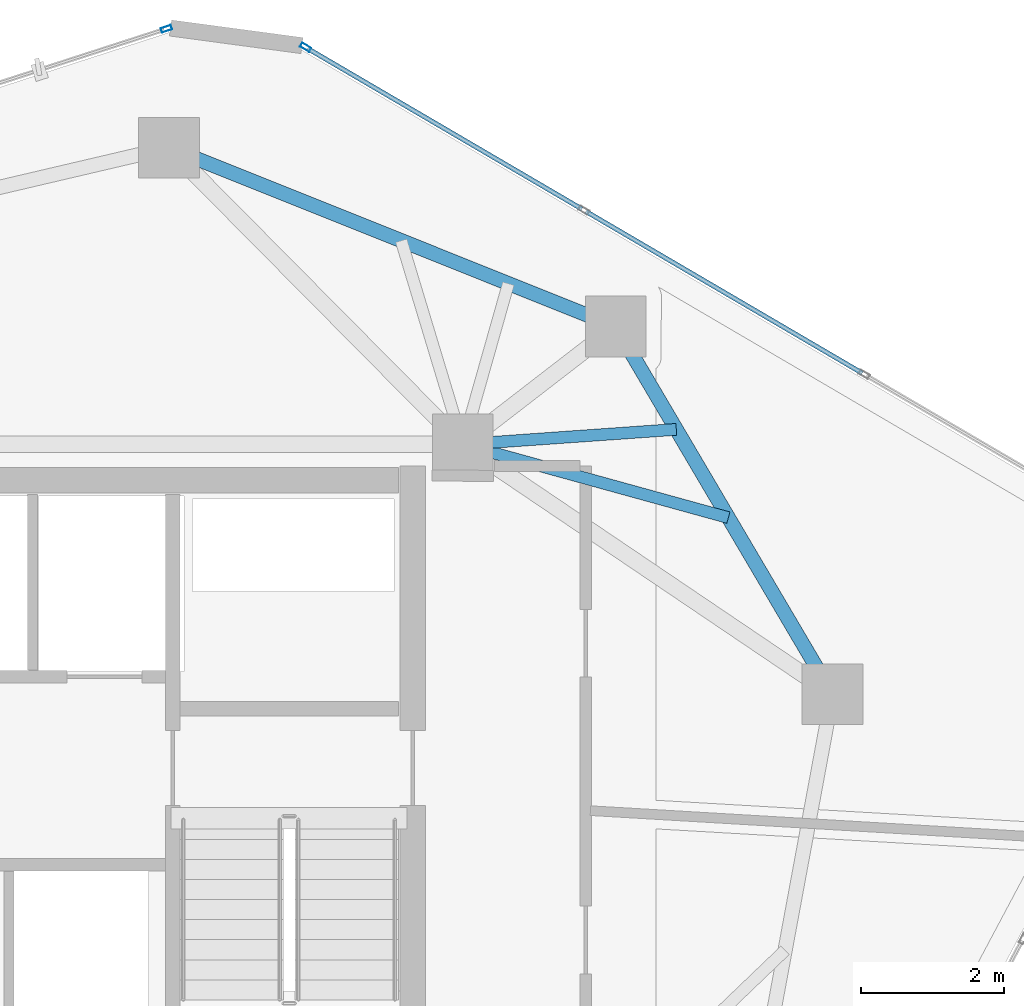
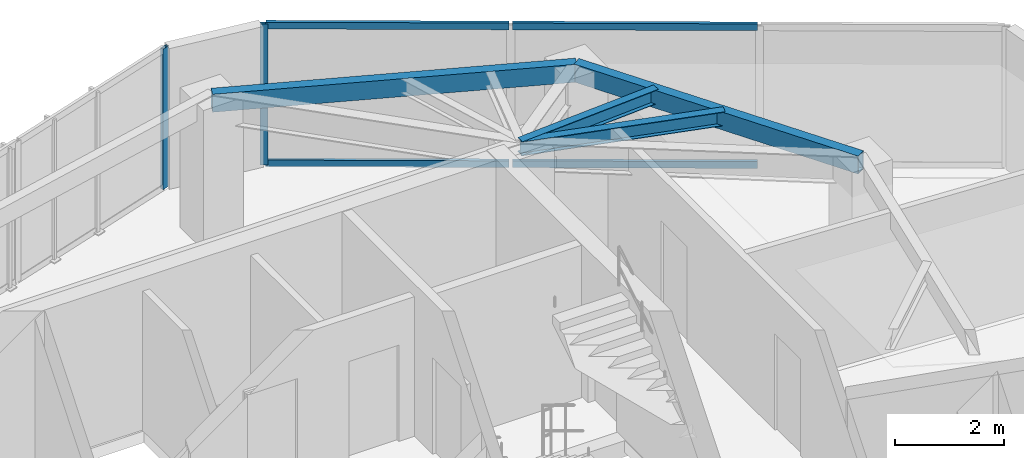
# One storey, part 13 of 19: 6 members, 4 beams, 2 elements without a shape of their own.
"""IFC4 building model written with IfcOpenShell, lengths in metres."""

import ifcopenshell
import ifcopenshell.guid

model = None  # the IFC model being written
_history = None  # IfcOwnerHistory: only IFC2X3 demands one
_inside = {}  # id of a spatial element -> (the spatial element, [elements in it])
_under = {}  # id of a project, library or spatial element -> (it, [spatial elements below it])
_declared = {}  # id of a project -> (the project, [libraries it declares])
_typed = {}  # id of a type object -> (the type object, [elements of that type])
_made_of = {}  # id of a material, layer set ... -> (it, [elements and type objects made of it])


def new_model(schema):
    """Start an empty IFC model of exactly this schema.

    Asked for "IFC4X3", IfcOpenShell would pick the latest addendum, in which some entities
    have other attributes; the version numbers below select the first issue.
    IFC2X3 requires an IfcOwnerHistory on every rooted entity: one is made here for all.
    """
    global model, _history
    if schema == "IFC4X3":
        model = ifcopenshell.file(schema_version=(4, 3, 0, 0))
    else:
        model = ifcopenshell.file(schema=schema)
    _inside.clear()
    _under.clear()
    _declared.clear()
    _typed.clear()
    _made_of.clear()
    _history = None
    if model.schema == "IFC2X3":
        org = make("IfcOrganization", Name="unknown")
        user = make(
            "IfcPersonAndOrganization",
            ThePerson=make("IfcPerson", FamilyName="unknown"),
            TheOrganization=org,
        )
        app = make(
            "IfcApplication",
            ApplicationDeveloper=org,
            Version="unknown",
            ApplicationFullName="unknown",
            ApplicationIdentifier="unknown",
        )
        _history = make(
            "IfcOwnerHistory",
            OwningUser=user,
            OwningApplication=app,
            ChangeAction="ADDED",
            CreationDate=0,
        )
    return model


def make(cls, **values):
    """One entity of the class cls with the attributes given. An attribute that is None is left unset."""
    return model.create_entity(
        cls, **{name: value for name, value in values.items() if value is not None}
    )


def rooted(cls, **values):
    """An entity with a GlobalId (a new one), such as an element, a storey or a relation."""
    return make(cls, GlobalId=ifcopenshell.guid.new(), OwnerHistory=_history, **values)


def si_unit(unit_type, name, prefix=None):
    """IfcSIUnit, for example si_unit("LENGTHUNIT", "METRE", prefix="MILLI")."""
    return make("IfcSIUnit", UnitType=unit_type, Prefix=prefix, Name=name)


def assignment(units):
    """IfcUnitAssignment: the units of a project."""
    return None if units is None else make("IfcUnitAssignment", Units=units)


def point(xyz):
    """IfcCartesianPoint."""
    return None if xyz is None else make("IfcCartesianPoint", Coordinates=xyz)


def direction(xyz):
    """IfcDirection."""
    return None if xyz is None else make("IfcDirection", DirectionRatios=xyz)


def frame(location, z_axis=None, x_axis=None):
    """IfcAxis2Placement3D, a coordinate frame: its origin and axes. An axis left out is left unset."""
    return make(
        "IfcAxis2Placement3D",
        Location=point(location),
        Axis=direction(z_axis),
        RefDirection=direction(x_axis),
    )


def frame_2d(location, x_axis=None):
    """IfcAxis2Placement2D, a coordinate frame in the plane: its origin and x axis."""
    return make(
        "IfcAxis2Placement2D", Location=point(location), RefDirection=direction(x_axis)
    )


def origin():
    """The frame at (0, 0, 0) with its axes left unset."""
    return frame((0.0, 0.0, 0.0))


def origin_2d():
    """The frame at (0, 0) in the plane with its x axis left unset."""
    return frame_2d((0.0, 0.0))


def place(relative_to, where):
    """IfcLocalPlacement: puts the frame where relative to a parent placement (None: the world)."""
    return make(
        "IfcLocalPlacement", PlacementRelTo=relative_to, RelativePlacement=where
    )


def context(
    kind, dimensions, precision=None, world=None, true_north=None, identifier=None
):
    """IfcGeometricRepresentationContext, for example the 3D "Model" context."""
    return make(
        "IfcGeometricRepresentationContext",
        ContextIdentifier=identifier,
        ContextType=kind,
        CoordinateSpaceDimension=dimensions,
        Precision=precision,
        WorldCoordinateSystem=world,
        TrueNorth=true_north,
    )


def subcontext(parent, identifier, kind, view, scale=None):
    """IfcGeometricRepresentationSubContext, for example "Body" below "Model"."""
    return make(
        "IfcGeometricRepresentationSubContext",
        ContextIdentifier=identifier,
        ContextType=kind,
        ParentContext=parent,
        TargetScale=scale,
        TargetView=view,
    )


def project(units=None, contexts=None):
    """IfcProject with its units and contexts."""
    return rooted(
        "IfcProject",
        Name="project",
        RepresentationContexts=contexts,
        UnitsInContext=assignment(units),
    )


def spatial(cls, under=None, at=None, **own):
    """A site, building, storey or space (cls), placed at a placement, below another one or the project."""
    s = rooted(cls, ObjectPlacement=at, **own)
    if under is not None:
        _under.setdefault(under.id(), (under, []))[1].append(s)
    return s


def profile(cls, at=None, kind="AREA", **sizes):
    """A parametric profile (cls). Its sizes go by their IFC names, for example OverallWidth=200.0."""
    return make(cls, ProfileType=kind, Position=at, **sizes)


def hollow_rectangle(**sizes):
    """IfcRectangleHollowProfileDef."""
    return profile("IfcRectangleHollowProfileDef", **sizes)


def i_section(**sizes):
    """IfcIShapeProfileDef."""
    return profile("IfcIShapeProfileDef", **sizes)


def extrude(swept, where, along, depth):
    """IfcExtrudedAreaSolid: the profile swept, set in the frame where, extruded along a direction by depth."""
    return make(
        "IfcExtrudedAreaSolid",
        SweptArea=swept,
        Position=where,
        ExtrudedDirection=direction(along),
        Depth=depth,
    )


def shape(context_of_items, identifier, shape_type, items):
    """IfcShapeRepresentation: the items that make up one representation, for example the "Body"."""
    return make(
        "IfcShapeRepresentation",
        ContextOfItems=context_of_items,
        RepresentationIdentifier=identifier,
        RepresentationType=shape_type,
        Items=items,
    )


def source(mapping_origin, context_of_items, identifier, shape_type, items):
    """IfcRepresentationMap: a shape defined once, which mapped items show again and again."""
    return make(
        "IfcRepresentationMap",
        MappingOrigin=mapping_origin,
        MappedRepresentation=shape(context_of_items, identifier, shape_type, items),
    )


def transform(
    local_origin,
    x_axis=None,
    y_axis=None,
    z_axis=None,
    scale=None,
    scale2=None,
    scale3=None,
    uniform=True,
):
    """IfcCartesianTransformationOperator3D, or its non-uniform kind. x_axis, y_axis, z_axis: its Axis1, 2, 3."""
    if uniform:
        return make(
            "IfcCartesianTransformationOperator3D",
            Axis1=direction(x_axis),
            Axis2=direction(y_axis),
            LocalOrigin=point(local_origin),
            Scale=scale,
            Axis3=direction(z_axis),
        )
    return make(
        "IfcCartesianTransformationOperator3DnonUniform",
        Axis1=direction(x_axis),
        Axis2=direction(y_axis),
        LocalOrigin=point(local_origin),
        Scale=scale,
        Axis3=direction(z_axis),
        Scale2=scale2,
        Scale3=scale3,
    )


def mapped(mapping_source, mapping_target):
    """IfcMappedItem: shows the shape of a source again, moved by a transform."""
    return make(
        "IfcMappedItem", MappingSource=mapping_source, MappingTarget=mapping_target
    )


def material(Name=None, Category=None):
    """IfcMaterial."""
    return make("IfcMaterial", Name=Name, Category=Category)


def layer(
    of_material, thickness, ventilated=None, Name=None, Category=None, Priority=None
):
    """IfcMaterialLayer: one layer of a wall or slab, of a material (None: an air gap)."""
    return make(
        "IfcMaterialLayer",
        Material=of_material,
        LayerThickness=thickness,
        IsVentilated=ventilated,
        Name=Name,
        Category=Category,
        Priority=Priority,
    )


def layer_set(layers, Name=None):
    """IfcMaterialLayerSet."""
    return make("IfcMaterialLayerSet", MaterialLayers=layers, LayerSetName=Name)


def material_profile(
    of_material, cross_section, Name=None, Category=None, Priority=None
):
    """IfcMaterialProfile: a cross section and its material."""
    return make(
        "IfcMaterialProfile",
        Name=Name,
        Material=of_material,
        Profile=cross_section,
        Priority=Priority,
        Category=Category,
    )


def profile_set(profiles, Name=None, composite=None):
    """IfcMaterialProfileSet."""
    return make(
        "IfcMaterialProfileSet",
        Name=Name,
        MaterialProfiles=profiles,
        CompositeProfile=composite,
    )


def made_of(thing, what):
    """Note that an element or type object is made of a material, layer set ...; save() writes the relation."""
    if what is not None:
        _made_of.setdefault(what.id(), (what, []))[1].append(thing)
    return thing


def type_object(cls, material=None, **own):
    """A type object (cls), such as IfcWallType, which elements share."""
    return made_of(rooted(cls, **own), material)


def type_shapes(of_type, sources):
    """Give a type object the sources (RepresentationMaps) that its elements show as mapped items."""
    of_type.RepresentationMaps = sources


def element(
    cls,
    number,
    at=None,
    inside=None,
    cuts=None,
    type_object=None,
    material=None,
    context=None,
    identifier="Body",
    shape_type=None,
    held_by="IfcProductDefinitionShape",
    body=None,
    shapes=None,
    **own,
):
    """One element of the class cls, such as IfcWall. Its Tag is "e" and its number.

    at: its placement. inside: the storey or other place that contains it. cuts: it is an
    opening in that element (IfcRelVoidsElement). A single representation is given by context,
    identifier, shape_type and body (its items); several are given by shapes. held_by: the class
    of the entity that holds the representations. save() writes the other relations.
    """
    e = rooted(cls, Tag="e%d" % number, ObjectPlacement=at, **own)
    if body is not None:
        shapes = [shape(context, identifier, shape_type, body)]
    if shapes is not None:
        e.Representation = make(held_by, Representations=shapes)
    if inside is not None:
        _inside.setdefault(inside.id(), (inside, []))[1].append(e)
    if cuts is not None:
        rooted(
            "IfcRelVoidsElement", RelatingBuildingElement=cuts, RelatedOpeningElement=e
        )
    if type_object is not None:
        _typed.setdefault(type_object.id(), (type_object, []))[1].append(e)
    return made_of(e, material)


def aggregate(whole, parts):
    """IfcRelAggregates: a whole, such as a stair, and the parts it consists of."""
    return rooted("IfcRelAggregates", RelatingObject=whole, RelatedObjects=parts)


def save(model, path):
    """Write the relations noted so far, then the file.

    IfcRelAggregates (storeys below a building ...), IfcRelContainedInSpatialStructure (elements
    in a storey), IfcRelDefinesByType, IfcRelAssociatesMaterial and IfcRelDeclares: one each for
    every whole, place, type object, material and project.
    """
    for whole, parts in _under.values():
        aggregate(whole, parts)
    for where, things in _inside.values():
        rooted(
            "IfcRelContainedInSpatialStructure",
            RelatedElements=things,
            RelatingStructure=where,
        )
    for kind, things in _typed.values():
        rooted("IfcRelDefinesByType", RelatedObjects=things, RelatingType=kind)
    for what, things in _made_of.values():
        rooted("IfcRelAssociatesMaterial", RelatedObjects=things, RelatingMaterial=what)
    for by, libraries in _declared.values():
        rooted("IfcRelDeclares", RelatingContext=by, RelatedDefinitions=libraries)
    model.write(path)


model = new_model("IFC4")

# Units and contexts
model_context = context("Model", 3, precision=1e-05, world=origin(), true_north=direction((0.0, 1.0)))
body_context = subcontext(model_context, "Body", "Model", "MODEL_VIEW")
ifc_project = project(units=[si_unit("LENGTHUNIT", "METRE"), si_unit("AREAUNIT", "SQUARE_METRE"), si_unit("VOLUMEUNIT", "CUBIC_METRE"), si_unit("PLANEANGLEUNIT", "RADIAN"), si_unit("MASSUNIT", "GRAM", prefix="KILO")], contexts=[model_context])

# Site, building, storey
site_placement = place(None, origin())
site = spatial("IfcSite", under=ifc_project, at=site_placement, CompositionType="ELEMENT")
building_placement = place(site_placement, origin())
building = spatial("IfcBuilding", under=site, at=building_placement, Name="Talar Marvaseh", CompositionType="ELEMENT")
storey_placement = place(building_placement, frame((0.0, 0.0, 288.39990234375)))
storey = spatial("IfcBuildingStorey", under=building, at=storey_placement, Name="L77", CompositionType="ELEMENT", Elevation=288.39990234375)

# Beams
ifc_material_1 = material(Name="Steel S355", Category="steel")
ifc_material_profile_1 = material_profile(ifc_material_1, hollow_rectangle(XDim=0.199951171875, YDim=0.39990234375, WallThickness=0.013916015625, at=origin_2d()), Name="RHS400x200x14")
ifc_profile_set_1 = profile_set([ifc_material_profile_1], Name="Steel S355")
beam_type_1 = type_object("IfcBeamType", Name="Zone 3 Perimeter Spandrel Beam RHS400x200x14", PredefinedType="SPANDREL", material=ifc_profile_set_1)
beam_1_placement = place(storey_placement, frame((29.18798828125, 41.052001953125, 2.940185546875), z_axis=(0.928426659475, -0.371515730456, 0.0), x_axis=(0.371515730456, 0.928426659475, 0.0)))
element("IfcBeam", 1, at=beam_1_placement, inside=storey, type_object=beam_type_1, Name="L77 Zone 3 Perimeter Spandrel Beam RHS400x200x14", PredefinedType="SPANDREL", context=body_context, shape_type="SweptSolid", body=[
    extrude(hollow_rectangle(XDim=0.199951171875, YDim=0.39990234375, WallThickness=0.013916015625, at=origin_2d()), origin(), (0.0, 0.0, 1.0), 6.73193359375),
])
beam_2_placement = place(storey_placement, frame((35.43798828125, 38.551025390625, 2.940185546875), z_axis=(0.507825587611, -0.861459907696, 0.0), x_axis=(0.861459907696, 0.507825587611, 0.0)))
element("IfcBeam", 2, at=beam_2_placement, inside=storey, type_object=beam_type_1, Name="L77 Zone 3 Perimeter Spandrel Beam RHS400x200x14", PredefinedType="SPANDREL", context=body_context, shape_type="SweptSolid", body=[
    extrude(hollow_rectangle(XDim=0.199951171875, YDim=0.39990234375, WallThickness=0.013916015625, at=origin_2d()), origin(), (0.0, 0.0, 1.0), 5.972412109375),
])
ifc_material_profile_2 = material_profile(ifc_material_1, i_section(OverallWidth=0.166015625, OverallDepth=0.31298828125, WebThickness=0.006591796875, FlangeThickness=0.01123046875, at=origin_2d()), Name="W310x45")
ifc_profile_set_2 = profile_set([ifc_material_profile_2], Name="Steel S355")
beam_type_2 = type_object("IfcBeamType", Name="Zone 3 Secondary Floor Joist W310x45", PredefinedType="JOIST", material=ifc_profile_set_2)
beam_3_placement = place(storey_placement, frame((36.287109375, 37.1103515625, 2.983642578125), z_axis=(-0.99752734531, -0.070279409208, 0.0), x_axis=(0.070279409208, -0.99752734531, 0.0)))
element("IfcBeam", 3, at=beam_3_placement, inside=storey, type_object=beam_type_2, Name="L77 Zone 3 Secondary Floor Joist W310x45", PredefinedType="JOIST", context=body_context, shape_type="SweptSolid", body=[
    extrude(i_section(OverallWidth=0.166015625, OverallDepth=0.31298828125, WebThickness=0.006591796875, FlangeThickness=0.01123046875, at=origin_2d()), origin(), (0.0, 0.0, 1.0), 2.994384765625),
])
beam_4_placement = place(storey_placement, frame((37.01513671875, 35.87548828125, 2.983642578125), z_axis=(-0.964021733175, 0.265823433818, 0.0), x_axis=(-0.265823433818, -0.964021733175, 0.0)))
element("IfcBeam", 4, at=beam_4_placement, inside=storey, type_object=beam_type_2, Name="L77 Zone 3 Secondary Floor Joist W310x45", PredefinedType="JOIST", context=body_context, shape_type="SweptSolid", body=[
    extrude(i_section(OverallWidth=0.166015625, OverallDepth=0.31298828125, WebThickness=0.006591796875, FlangeThickness=0.01123046875, at=origin_2d()), origin(), (0.0, 0.0, 1.0), 3.853759765625),
])

# Curtain wall, members
ifc_material_2 = material(Name="Architectural Aluminium", Category="aluminium")
ifc_layer = layer(ifc_material_2, 0.179931640625)
ifc_layer_set = layer_set([ifc_layer], Name="Architectural Aluminium")
curtain_wall_type = type_object("IfcCurtainWallType", Name="Unitised High-Wind Sky Curtain Wall Z4", PredefinedType="NOTDEFINED", material=ifc_layer_set)
curtain_wall_1_placement = place(storey_placement, origin())
curtain_wall_1 = element("IfcCurtainWall", 5, at=curtain_wall_1_placement, inside=storey, type_object=curtain_wall_type, Name="L77 Unitised High-Wind Sky Curtain Wall Z4", PredefinedType="NOTDEFINED")
ifc_material_profile_3 = material_profile(ifc_material_2, hollow_rectangle(XDim=0.06494140625, YDim=0.14990234375, WallThickness=0.00390625, at=origin_2d()), Name="RHS150x65x4")
ifc_profile_set_3 = profile_set([ifc_material_profile_3], Name="Architectural Aluminium")
member_type_1 = type_object("IfcMemberType", Name="Unitised Curtain Wall Slim Transom RHS150x65x4", PredefinedType="USERDEFINED", material=ifc_profile_set_3)
shared_shape_1 = source(origin(), body_context, "Body", "SweptSolid", [
    extrude(hollow_rectangle(XDim=0.06494140625, YDim=0.14990234375, WallThickness=0.00390625, at=origin_2d()), origin(), (0.0, 0.0, 1.0), 4.447265625),
])
member_1_placement = place(storey_placement, frame((31.128173828125, 42.43994140625, 0.03271484375), z_axis=(0.862989366703, -0.505222082809, 0.0), x_axis=(0.505222082809, 0.862989366703, 0.0)))
member_1 = element("IfcMember", 6, at=member_1_placement, type_object=member_type_1, Name="CW-Z4 transom 1.1", ObjectType="TRANSOM", PredefinedType="USERDEFINED", context=body_context, shape_type="MappedRepresentation", body=[
    mapped(shared_shape_1, transform((0.0, 0.0, 0.0), x_axis=(1.0, 0.0, 0.0), y_axis=(0.0, 1.0, 0.0), z_axis=(0.0, 0.0, 1.0), scale=1.0)),
])
member_2_placement = place(storey_placement, frame((31.128173828125, 42.43994140625, 3.107666015625), z_axis=(0.862989366703, -0.505222082809, 0.0), x_axis=(0.505222082809, 0.862989366703, 0.0)))
member_2 = element("IfcMember", 7, at=member_2_placement, type_object=member_type_1, Name="CW-Z4 transom 1.2", ObjectType="TRANSOM", PredefinedType="USERDEFINED", context=body_context, shape_type="MappedRepresentation", body=[
    mapped(shared_shape_1, transform((0.0, 0.0, 0.0), x_axis=(1.0, 0.0, 0.0), y_axis=(0.0, 1.0, 0.0), z_axis=(0.0, 0.0, 1.0), scale=1.0)),
])
shared_shape_2 = source(origin(), body_context, "Body", "SweptSolid", [
    extrude(hollow_rectangle(XDim=0.06494140625, YDim=0.14990234375, WallThickness=0.00390625, at=origin_2d()), origin(), (0.0, 0.0, 1.0), 4.47998046875),
])
type_shapes(member_type_1, [shared_shape_1, shared_shape_2])
member_3_placement = place(storey_placement, frame((35.022216796875, 40.16015625, 0.03271484375), z_axis=(0.86301099235, -0.505185141392, 0.0), x_axis=(0.505185141392, 0.86301099235, 0.0)))
member_3 = element("IfcMember", 8, at=member_3_placement, type_object=member_type_1, Name="CW-Z4 transom 2.1", ObjectType="TRANSOM", PredefinedType="USERDEFINED", context=body_context, shape_type="MappedRepresentation", body=[
    mapped(shared_shape_2, transform((0.0, 0.0, 0.0), x_axis=(1.0, 0.0, 0.0), y_axis=(0.0, 1.0, 0.0), z_axis=(0.0, 0.0, 1.0), scale=1.0)),
])
member_4_placement = place(storey_placement, frame((35.022216796875, 40.16015625, 3.107666015625), z_axis=(0.86301099235, -0.505185141392, 0.0), x_axis=(0.505185141392, 0.86301099235, 0.0)))
member_4 = element("IfcMember", 9, at=member_4_placement, type_object=member_type_1, Name="CW-Z4 transom 2.2", ObjectType="TRANSOM", PredefinedType="USERDEFINED", context=body_context, shape_type="MappedRepresentation", body=[
    mapped(shared_shape_2, transform((0.0, 0.0, 0.0), x_axis=(1.0, 0.0, 0.0), y_axis=(0.0, 1.0, 0.0), z_axis=(0.0, 0.0, 1.0), scale=1.0)),
])

# Curtain wall, member
curtain_wall_2_placement = place(storey_placement, origin())
curtain_wall_2 = element("IfcCurtainWall", 10, at=curtain_wall_2_placement, inside=storey, type_object=curtain_wall_type, Name="L77 Unitised High-Wind Sky Curtain Wall Z4", PredefinedType="NOTDEFINED")
ifc_material_profile_4 = material_profile(ifc_material_2, hollow_rectangle(XDim=0.06494140625, YDim=0.14990234375, WallThickness=0.00390625, at=origin_2d()), Name="RHS150x65x4")
ifc_profile_set_4 = profile_set([ifc_material_profile_4], Name="Architectural Aluminium")
member_type_2 = type_object("IfcMemberType", Name="Unitised Curtain Wall Slim Mullion RHS150x65x4", PredefinedType="MULLION", material=ifc_profile_set_4)
shared_shape_3 = source(origin(), body_context, "Body", "SweptSolid", [
    extrude(hollow_rectangle(XDim=0.06494140625, YDim=0.14990234375, WallThickness=0.00390625, at=origin_2d()), origin(), (0.0, 0.0, 1.0), 3.14013671875),
])
type_shapes(member_type_2, [shared_shape_3])
member_5_placement = place(storey_placement, frame((29.15234375, 42.714599609375, 0.0), z_axis=(0.0, 0.0, 1.0), x_axis=(-0.307888558966, 0.951422427346, 0.0)))
member_5 = element("IfcMember", 11, at=member_5_placement, type_object=member_type_2, Name="CW-Z4 mullion 4", PredefinedType="MULLION", context=body_context, shape_type="MappedRepresentation", body=[
    mapped(shared_shape_3, transform((0.0, 0.0, 0.0), x_axis=(1.0, 0.0, 0.0), y_axis=(0.0, 1.0, 0.0), z_axis=(0.0, 0.0, 1.0), scale=1.0)),
])
aggregate(curtain_wall_2, [member_5])

# Member
member_6_placement = place(storey_placement, frame((31.10009765625, 42.456298828125, 0.0), z_axis=(0.0, 0.0, 1.0), x_axis=(0.505219303768, 0.862990993638, 0.0)))
member_6 = element("IfcMember", 12, at=member_6_placement, type_object=member_type_2, Name="CW-Z4 mullion 1", PredefinedType="MULLION", context=body_context, shape_type="MappedRepresentation", body=[
    mapped(shared_shape_3, transform((0.0, 0.0, 0.0), x_axis=(1.0, 0.0, 0.0), y_axis=(0.0, 1.0, 0.0), z_axis=(0.0, 0.0, 1.0), scale=1.0)),
])

aggregate(curtain_wall_1, [member_6, member_1, member_2, member_3, member_4])

save(model, "model.ifc")
